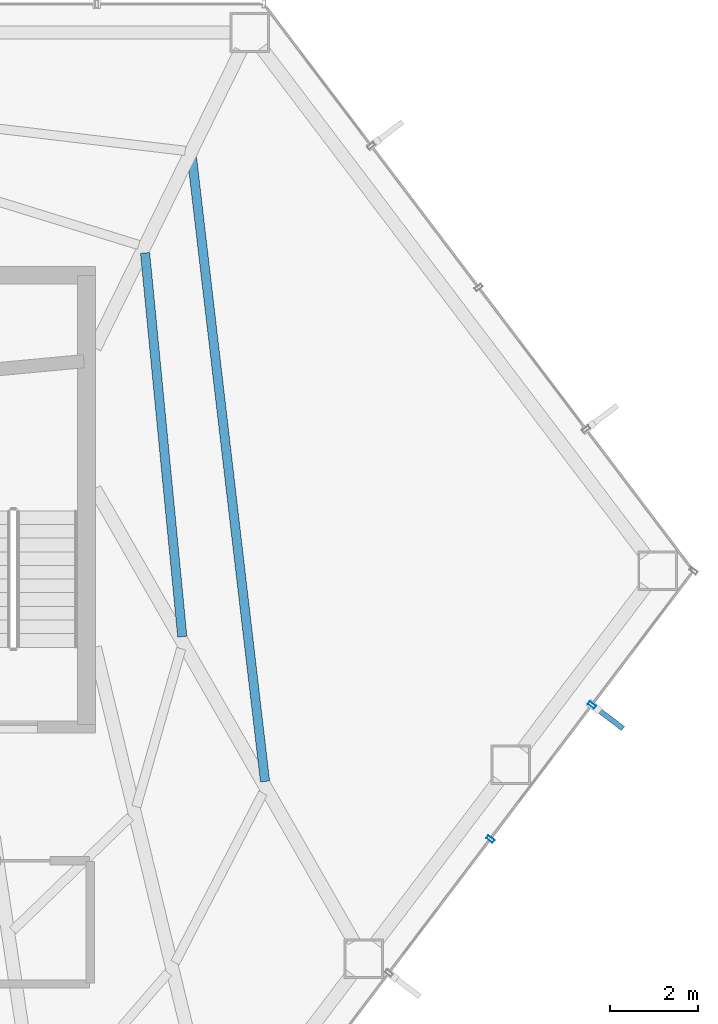
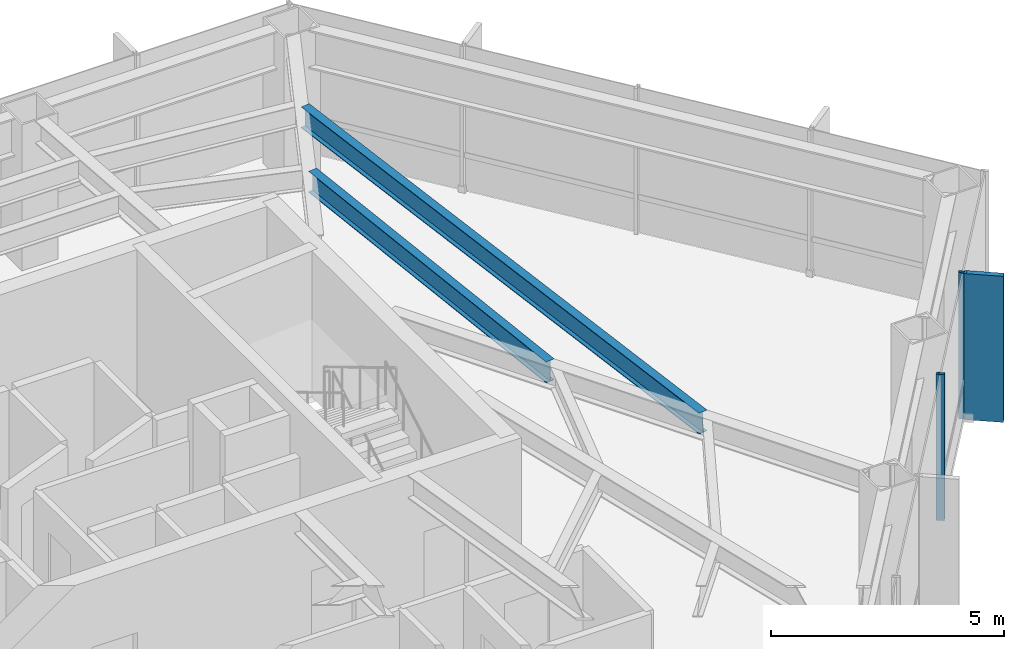
# One storey, part 17 of 25: 3 members, 2 beams, 1 element without a shape of its own.
"""IFC4 building model written with IfcOpenShell, lengths in metres."""

from ifc_helpers import new_model, si_unit, direction, frame, origin, origin_2d, place, context, subcontext, project, spatial, rectangle, hollow_rectangle, i_section, extrude, material, layer, layer_set, material_profile, profile_set, type_object, element, aggregate, save


model = new_model("IFC4")

# Units and contexts
model_context = context("Model", 3, precision=1e-05, world=origin(), true_north=direction((0.0, 1.0)))
body_context = subcontext(model_context, "Body", "Model", "MODEL_VIEW")
ifc_project = project(units=[si_unit("LENGTHUNIT", "METRE"), si_unit("AREAUNIT", "SQUARE_METRE"), si_unit("VOLUMEUNIT", "CUBIC_METRE"), si_unit("PLANEANGLEUNIT", "RADIAN"), si_unit("MASSUNIT", "GRAM", prefix="KILO")], contexts=[model_context])

# Site, building, storey
site_placement = place(None, origin())
site = spatial("IfcSite", under=ifc_project, at=site_placement, CompositionType="ELEMENT")
building_placement = place(site_placement, origin())
building = spatial("IfcBuilding", under=site, at=building_placement, Name="Zarrinselat Tower", CompositionType="ELEMENT")
storey_placement = place(building_placement, frame((0.0, 0.0, 88.739990234375)))
storey = spatial("IfcBuildingStorey", under=building, at=storey_placement, Name="L21", CompositionType="ELEMENT", Elevation=88.739990234375)

# Beams
ifc_material_1 = material(Name="Steel S355J2", Category="steel")
ifc_material_profile_1 = material_profile(ifc_material_1, i_section(OverallWidth=0.2099609375, OverallDepth=0.550048828125, WebThickness=0.010986328125, FlangeThickness=0.01708984375, at=origin_2d()), Name="IPE 550")
ifc_profile_set_1 = profile_set([ifc_material_profile_1], Name="Steel S355J2")
beam_type = type_object("IfcBeamType", Name="BM-IPE550", PredefinedType="JOIST", material=ifc_profile_set_1)
beam_1_placement = place(storey_placement, frame((50.656982421875, 46.123291015625, 3.544921875), z_axis=(0.116361758988, -0.993206897401, 0.0), x_axis=(0.993206897401, 0.116361758988, 0.0)))
element("IfcBeam", 1, at=beam_1_placement, inside=storey, type_object=beam_type, Name="L21 Composite Floor Joist 5-1", PredefinedType="JOIST", context=body_context, shape_type="SweptSolid", body=[
    extrude(i_section(OverallWidth=0.2099609375, OverallDepth=0.550048828125, WebThickness=0.010986328125, FlangeThickness=0.01708984375, at=origin_2d()), origin(), (0.0, 0.0, 1.0), 14.269287109375),
])
beam_2_placement = place(storey_placement, frame((49.592041015625, 43.95947265625, 3.544921875), z_axis=(0.096480992485, -0.995334827126, 0.0), x_axis=(0.995334827126, 0.096480992485, 0.0)))
element("IfcBeam", 2, at=beam_2_placement, inside=storey, type_object=beam_type, Name="L21 Composite Floor Joist 5-2", PredefinedType="JOIST", context=body_context, shape_type="SweptSolid", body=[
    extrude(i_section(OverallWidth=0.2099609375, OverallDepth=0.550048828125, WebThickness=0.010986328125, FlangeThickness=0.01708984375, at=origin_2d()), origin(), (0.0, 0.0, 1.0), 8.7578125),
])

# Curtain wall, members
ifc_material_2 = material(Name="Extruded Aluminium Alloy EN AW-6063 T6", Category="aluminium")
ifc_layer = layer(ifc_material_2, 0.18505859375)
ifc_layer_set = layer_set([ifc_layer], Name="Extruded Aluminium Alloy EN AW-6063 T6")
curtain_wall_type = type_object("IfcCurtainWallType", Name="CWS-OFF", PredefinedType="NOTDEFINED", material=ifc_layer_set)
curtain_wall_placement = place(storey_placement, origin())
curtain_wall = element("IfcCurtainWall", 3, at=curtain_wall_placement, inside=storey, type_object=curtain_wall_type, Name="L21 Unitised Curtain Wall CW-L21-E05", PredefinedType="NOTDEFINED")
ifc_material_3 = material(Name="Extruded Aluminium Alloy EN AW-6063 T6", Category="aluminium")
ifc_material_profile_2 = material_profile(ifc_material_3, hollow_rectangle(XDim=0.080078125, YDim=0.179931640625, WallThickness=0.0048828125, at=origin_2d()), Name="RHS 180x80x5")
ifc_profile_set_2 = profile_set([ifc_material_profile_2], Name="Extruded Aluminium Alloy EN AW-6063 T6")
member_type_1 = type_object("IfcMemberType", Name="MEM-CW-MUL", PredefinedType="MULLION", material=ifc_profile_set_2)
member_1_placement = place(storey_placement, frame((57.435302734375, 30.643310546875, 0.0), z_axis=(0.0, 0.0, 1.0), x_axis=(0.603855672579, 0.797093674981, 0.0)))
member_1 = element("IfcMember", 4, at=member_1_placement, type_object=member_type_1, Name="CW-L21-E05 Mullion 4", PredefinedType="MULLION", context=body_context, shape_type="SweptSolid", body=[
    extrude(hollow_rectangle(XDim=0.080078125, YDim=0.179931640625, WallThickness=0.0048828125, at=origin_2d()), origin(), (0.0, 0.0, 1.0), 3.820068359375),
])
member_2_placement = place(storey_placement, frame((59.742919921875, 33.689208984375, 0.0), z_axis=(0.0, 0.0, 1.0), x_axis=(0.603855672579, 0.797093674981, 0.0)))
member_2 = element("IfcMember", 5, at=member_2_placement, type_object=member_type_1, Name="CW-L21-E05 Mullion 5", PredefinedType="MULLION", context=body_context, shape_type="SweptSolid", body=[
    extrude(hollow_rectangle(XDim=0.080078125, YDim=0.179931640625, WallThickness=0.0048828125, at=origin_2d()), origin(), (0.0, 0.0, 1.0), 3.820068359375),
])
ifc_material_4 = material(Name="Honed Cream Travertine Stone", Category="masonry")
ifc_material_profile_3 = material_profile(ifc_material_4, rectangle(XDim=0.1201171875, YDim=0.85009765625, at=origin_2d()), Name="FIN 850x120")
ifc_profile_set_3 = profile_set([ifc_material_profile_3], Name="Honed Cream Travertine Stone")
member_type_2 = type_object("IfcMemberType", Name="MEM-STONE-FIN", PredefinedType="USERDEFINED", material=ifc_profile_set_3)
member_3_placement = place(storey_placement, frame((60.109619140625, 33.41162109375, 0.0), z_axis=(0.0, 0.0, 1.0), x_axis=(-0.603855672579, -0.797093674981, 0.0)))
member_3 = element("IfcMember", 6, at=member_3_placement, type_object=member_type_2, Name="L21 Stone Shading Fin CW-L21-E05-05", ObjectType="FIN", PredefinedType="USERDEFINED", context=body_context, shape_type="SweptSolid", body=[
    extrude(rectangle(XDim=0.1201171875, YDim=0.85009765625, at=origin_2d()), origin(), (0.0, 0.0, 1.0), 3.820068359375),
])
aggregate(curtain_wall, [member_1, member_2, member_3])

save(model, "model.ifc")
